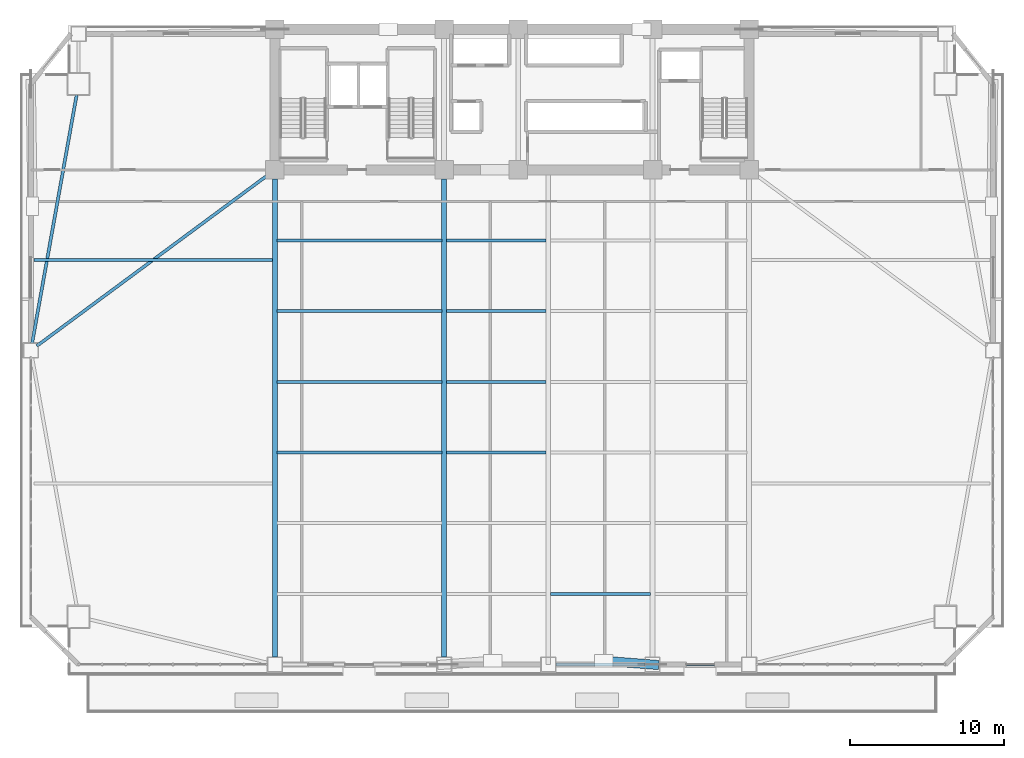
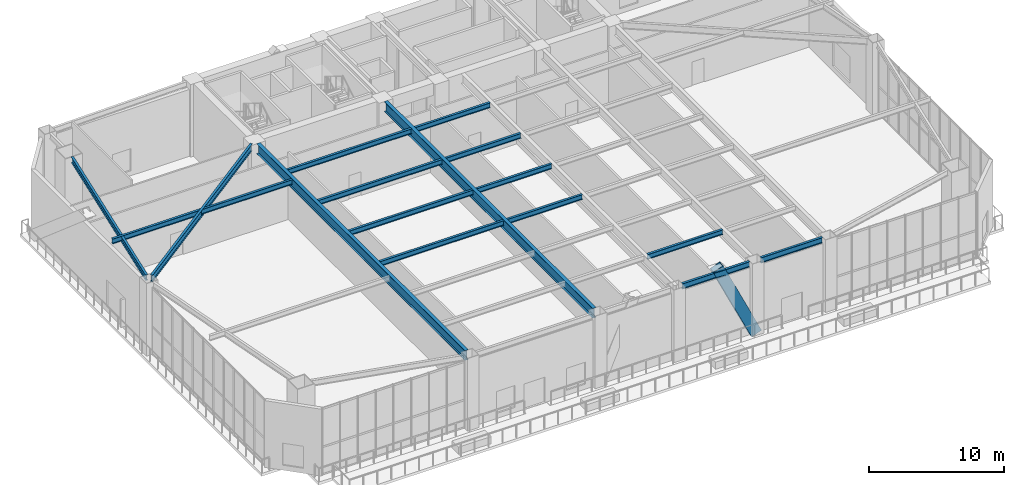
# One storey, part 6 of 22: 16 beams, 1 member.
"""IFC4 building model written with IfcOpenShell, lengths in metres."""

from ifc_helpers import new_model, si_unit, direction, frame, origin, origin_2d, place, context, subcontext, project, spatial, hollow_rectangle, i_section, extrude, source, transform, mapped, material, material_profile, profile_set, type_object, element, save


model = new_model("IFC4")

# Units and contexts
model_context = context("Model", 3, precision=1e-05, world=origin(), true_north=direction((0.0, 1.0)))
body_context = subcontext(model_context, "Body", "Model", "MODEL_VIEW")
ifc_project = project(units=[si_unit("LENGTHUNIT", "METRE"), si_unit("AREAUNIT", "SQUARE_METRE"), si_unit("VOLUMEUNIT", "CUBIC_METRE"), si_unit("PLANEANGLEUNIT", "RADIAN"), si_unit("MASSUNIT", "GRAM", prefix="KILO")], contexts=[model_context])

# Site, building, storey
site_placement = place(None, origin())
site = spatial("IfcSite", under=ifc_project, at=site_placement, CompositionType="ELEMENT")
building_placement = place(site_placement, origin())
building = spatial("IfcBuilding", under=site, at=building_placement, Name="Giltprow Tower", CompositionType="ELEMENT")
storey_placement = place(building_placement, frame((0.0, 0.0, 72.800048828125)))
storey = spatial("IfcBuildingStorey", under=building, at=storey_placement, Name="L18", CompositionType="ELEMENT", Elevation=72.800048828125)

# Beams
ifc_material_1 = material(Name="Structural steel Q355B", Category="steel")
ifc_material_profile_1 = material_profile(ifc_material_1, i_section(OverallWidth=0.199951171875, OverallDepth=0.449951171875, WebThickness=0.009033203125, FlangeThickness=0.013916015625, at=origin_2d()), Name="HN 450x200x9x14")
ifc_profile_set_1 = profile_set([ifc_material_profile_1], Name="Structural steel Q355B")
beam_type_1 = type_object("IfcBeamType", Name="BM-JOIST-HN450", PredefinedType="JOIST", material=ifc_profile_set_1)
shared_shape_1 = source(origin(), body_context, "Body", "SweptSolid", [
    extrude(i_section(OverallWidth=0.199951171875, OverallDepth=0.449951171875, WebThickness=0.009033203125, FlangeThickness=0.013916015625, at=origin_2d()), origin(), (0.0, 0.0, 1.0), 10.659912109375),
])
for number, where, z_axis, x_axis, name in (
    (1, (19.9951171875, 19.14111328125, 6.35498046875), (1.0, 0.0, 0.0), (0.0, 1.0, 0.0), "L18 Composite Floor Joist 3-1"),
    (2, (19.9951171875, 23.718017578125, 6.35498046875), (1.0, 0.0, 0.0), (0.0, 1.0, 0.0), "L18 Composite Floor Joist 4-1"),
    (3, (19.9951171875, 28.294921875, 6.35498046875), (1.0, 0.0, 0.0), (0.0, 1.0, 0.0), "L18 Composite Floor Joist 5-1"),
    (4, (19.9951171875, 32.873046875, 6.35498046875), (1.0, 0.0, 0.0), (0.0, 1.0, 0.0), "L18 Composite Floor Joist 6-1"),
):
    element("IfcBeam", number, at=place(storey_placement, frame(where, z_axis=z_axis, x_axis=x_axis)), inside=storey, type_object=beam_type_1, Name=name, PredefinedType="JOIST", context=body_context, shape_type="MappedRepresentation", body=[
        mapped(shared_shape_1, transform((0.0, 0.0, 0.0), x_axis=(1.0, 0.0, 0.0), y_axis=(0.0, 1.0, 0.0), z_axis=(0.0, 0.0, 1.0), scale=1.0)),
    ])
shared_shape_2 = source(origin(), body_context, "Body", "SweptSolid", [
    extrude(i_section(OverallWidth=0.199951171875, OverallDepth=0.449951171875, WebThickness=0.009033203125, FlangeThickness=0.013916015625, at=origin_2d()), origin(), (0.0, 0.0, 1.0), 6.4599609375),
])
for number, where, z_axis, x_axis, name in (
    (5, (37.695068359375, 9.986083984375, 6.35498046875), (1.0, 0.0, 0.0), (0.0, 1.0, 0.0), "L18 Composite Floor Joist 1-3"),
    (6, (30.945068359375, 19.14111328125, 6.35498046875), (1.0, 0.0, 0.0), (0.0, 1.0, 0.0), "L18 Composite Floor Joist 3-2"),
    (7, (30.945068359375, 23.718017578125, 6.35498046875), (1.0, 0.0, 0.0), (0.0, 1.0, 0.0), "L18 Composite Floor Joist 4-2"),
    (8, (30.945068359375, 28.294921875, 6.35498046875), (1.0, 0.0, 0.0), (0.0, 1.0, 0.0), "L18 Composite Floor Joist 5-2"),
    (9, (30.945068359375, 32.873046875, 6.35498046875), (1.0, 0.0, 0.0), (0.0, 1.0, 0.0), "L18 Composite Floor Joist 6-2"),
):
    element("IfcBeam", number, at=place(storey_placement, frame(where, z_axis=z_axis, x_axis=x_axis)), inside=storey, type_object=beam_type_1, Name=name, PredefinedType="JOIST", context=body_context, shape_type="MappedRepresentation", body=[
        mapped(shared_shape_2, transform((0.0, 0.0, 0.0), x_axis=(1.0, 0.0, 0.0), y_axis=(0.0, 1.0, 0.0), z_axis=(0.0, 0.0, 1.0), scale=1.0)),
    ])
ifc_material_profile_2 = material_profile(ifc_material_1, i_section(OverallWidth=0.199951171875, OverallDepth=0.5, WebThickness=0.010009765625, FlangeThickness=0.01611328125, at=origin_2d()), Name="HN 500x200x10x16")
ifc_profile_set_2 = profile_set([ifc_material_profile_2], Name="Structural steel Q355B")
beam_type_2 = type_object("IfcBeamType", Name="BM-SPAN-HN500", PredefinedType="SPANDREL", material=ifc_profile_set_2)
shared_shape_3 = source(origin(), body_context, "Body", "SweptSolid", [
    extrude(i_section(OverallWidth=0.199951171875, OverallDepth=0.5, WebThickness=0.010009765625, FlangeThickness=0.01611328125, at=origin_2d()), origin(), (0.0, 0.0, 1.0), 5.780029296875),
])
beam_1_placement = place(storey_placement, frame((38.034912109375, 5.408935546875, 6.329833984375), z_axis=(1.0, 0.0, 0.0), x_axis=(0.0, 1.0, 0.0)))
element("IfcBeam", 10, at=beam_1_placement, inside=storey, type_object=beam_type_2, Name="L18 Perimeter Spandrel Beam S_MID-S3", PredefinedType="SPANDREL", context=body_context, shape_type="MappedRepresentation", body=[
    mapped(shared_shape_3, transform((0.0, 0.0, 0.0), x_axis=(1.0, 0.0, 0.0), y_axis=(0.0, 1.0, 0.0), z_axis=(0.0, 0.0, 1.0), scale=1.0)),
])
shared_shape_4 = source(origin(), body_context, "Body", "SweptSolid", [
    extrude(i_section(OverallWidth=0.199951171875, OverallDepth=0.5, WebThickness=0.010009765625, FlangeThickness=0.01611328125, at=origin_2d()), origin(), (0.0, 0.0, 1.0), 5.280029296875),
])
beam_2_placement = place(storey_placement, frame((44.784912109375, 5.408935546875, 6.329833984375), z_axis=(1.0, 0.0, 0.0), x_axis=(0.0, 1.0, 0.0)))
element("IfcBeam", 11, at=beam_2_placement, inside=storey, type_object=beam_type_2, Name="L18 Perimeter Spandrel Beam S3-S4", PredefinedType="SPANDREL", context=body_context, shape_type="MappedRepresentation", body=[
    mapped(shared_shape_4, transform((0.0, 0.0, 0.0), x_axis=(1.0, 0.0, 0.0), y_axis=(0.0, 1.0, 0.0), z_axis=(0.0, 0.0, 1.0), scale=1.0)),
])
shared_shape_5 = source(origin(), body_context, "Body", "SweptSolid", [
    extrude(i_section(OverallWidth=0.199951171875, OverallDepth=0.5, WebThickness=0.010009765625, FlangeThickness=0.01611328125, at=origin_2d()), origin(), (0.0, 0.0, 1.0), 16.305419921875),
])
beam_3_placement = place(storey_placement, frame((7.006103515625, 42.281005859375, 6.329833984375), z_axis=(-0.176635795333, -0.984276280222, 0.0), x_axis=(0.984276280222, -0.176635795333, 0.0)))
element("IfcBeam", 12, at=beam_3_placement, inside=storey, type_object=beam_type_2, Name="L18 Perimeter Spandrel Beam MC_NW-W_MID", PredefinedType="SPANDREL", context=body_context, shape_type="MappedRepresentation", body=[
    mapped(shared_shape_5, transform((0.0, 0.0, 0.0), x_axis=(1.0, 0.0, 0.0), y_axis=(0.0, 1.0, 0.0), z_axis=(0.0, 0.0, 1.0), scale=1.0)),
])
ifc_material_profile_3 = material_profile(ifc_material_1, i_section(OverallWidth=0.300048828125, OverallDepth=0.89990234375, WebThickness=0.01611328125, FlangeThickness=0.028076171875, at=origin_2d()), Name="HN 900x300x16x28")
ifc_profile_set_3 = profile_set([ifc_material_profile_3], Name="Structural steel Q355B")
beam_type_3 = type_object("IfcBeamType", Name="BM-GIRD-HN900", PredefinedType="BEAM", material=ifc_profile_set_3)
shared_shape_6 = source(origin(), body_context, "Body", "SweptSolid", [
    extrude(i_section(OverallWidth=0.300048828125, OverallDepth=0.89990234375, WebThickness=0.01611328125, FlangeThickness=0.028076171875, at=origin_2d()), origin(), (0.0, 0.0, 1.0), 30.970947265625),
])
for number, where, z_axis, x_axis, name in (
    (13, (19.85009765625, 5.89404296875, 6.1298828125), (0.0, 1.0, 0.0), (-1.0, 0.0, 0.0), "L18 Primary Lease Girder S1"),
    (14, (30.800048828125, 5.89404296875, 6.1298828125), (0.0, 1.0, 0.0), (-1.0, 0.0, 0.0), "L18 Primary Lease Girder S2"),
):
    element("IfcBeam", number, at=place(storey_placement, frame(where, z_axis=z_axis, x_axis=x_axis)), inside=storey, type_object=beam_type_3, Name=name, PredefinedType="BEAM", context=body_context, shape_type="MappedRepresentation", body=[
        mapped(shared_shape_6, transform((0.0, 0.0, 0.0), x_axis=(1.0, 0.0, 0.0), y_axis=(0.0, 1.0, 0.0), z_axis=(0.0, 0.0, 1.0), scale=1.0)),
    ])
ifc_material_profile_4 = material_profile(ifc_material_1, i_section(OverallWidth=0.199951171875, OverallDepth=0.60009765625, WebThickness=0.010986328125, FlangeThickness=0.01708984375, at=origin_2d()), Name="HN 600x200x11x17")
ifc_profile_set_4 = profile_set([ifc_material_profile_4], Name="Structural steel Q355B")
beam_type_4 = type_object("IfcBeamType", Name="BM-GIRD-HN600", PredefinedType="BEAM", material=ifc_profile_set_4)
shared_shape_7 = source(origin(), body_context, "Body", "SweptSolid", [
    extrude(i_section(OverallWidth=0.199951171875, OverallDepth=0.60009765625, WebThickness=0.010986328125, FlangeThickness=0.01708984375, at=origin_2d()), origin(), (0.0, 0.0, 1.0), 18.595703125),
])
beam_4_placement = place(storey_placement, frame((4.429931640625, 26.04296875, 6.280029296875), z_axis=(0.80394170269, 0.594708112166, 0.0), x_axis=(-0.594708112166, 0.80394170269, 0.0)))
element("IfcBeam", 15, at=beam_4_placement, inside=storey, type_object=beam_type_4, Name="L18 West Wing Primary Girder", PredefinedType="BEAM", context=body_context, shape_type="MappedRepresentation", body=[
    mapped(shared_shape_7, transform((0.0, 0.0, 0.0), x_axis=(1.0, 0.0, 0.0), y_axis=(0.0, 1.0, 0.0), z_axis=(0.0, 0.0, 1.0), scale=1.0)),
])
shared_shape_8 = source(origin(), body_context, "Body", "SweptSolid", [
    extrude(i_section(OverallWidth=0.199951171875, OverallDepth=0.449951171875, WebThickness=0.009033203125, FlangeThickness=0.013916015625, at=origin_2d()), origin(), (0.0, 0.0, 1.0), 15.445068359375),
])
beam_5_placement = place(storey_placement, frame((4.260009765625, 31.60205078125, 6.35498046875), z_axis=(1.0, 0.0, 0.0), x_axis=(0.0, 1.0, 0.0)))
element("IfcBeam", 16, at=beam_5_placement, inside=storey, type_object=beam_type_1, Name="L18 West Wing Floor Joist 2", PredefinedType="JOIST", context=body_context, shape_type="MappedRepresentation", body=[
    mapped(shared_shape_8, transform((0.0, 0.0, 0.0), x_axis=(1.0, 0.0, 0.0), y_axis=(0.0, 1.0, 0.0), z_axis=(0.0, 0.0, 1.0), scale=1.0)),
])

# Member
ifc_material_2 = material(Name="Structural steel Q420GJC", Category="steel")
ifc_material_profile_5 = material_profile(ifc_material_2, hollow_rectangle(XDim=0.60009765625, YDim=0.89990234375, WallThickness=0.0400390625, at=origin_2d()), Name="RHS 900x600x40")
ifc_profile_set_5 = profile_set([ifc_material_profile_5], Name="Structural steel Q420GJC")
member_type = type_object("IfcMemberType", Name="MBR-MEGA-RHS900", PredefinedType="BRACE", material=ifc_profile_set_5)
shared_shape_9 = source(origin(), body_context, "Body", "SweptSolid", [
    extrude(hollow_rectangle(XDim=0.60009765625, YDim=0.89990234375, WallThickness=0.0400390625, at=origin_2d()), origin(), (0.0, 0.0, 1.0), 7.49560546875),
])
member_placement = place(storey_placement, frame((44.300048828125, 5.408935546875, 0.0), z_axis=(-0.419445337469, 0.032700972109, 0.907191410508), x_axis=(-0.077726557989, -0.996974714917, 0.0)))
element("IfcMember", 17, at=member_placement, inside=storey, type_object=member_type, Name="L18 Chevron Mega-Brace S-R", PredefinedType="BRACE", context=body_context, shape_type="MappedRepresentation", body=[
    mapped(shared_shape_9, transform((0.0, 0.0, 0.0), x_axis=(1.0, 0.0, 0.0), y_axis=(0.0, 1.0, 0.0), z_axis=(0.0, 0.0, 1.0), scale=1.0)),
])

save(model, "model.ifc")
